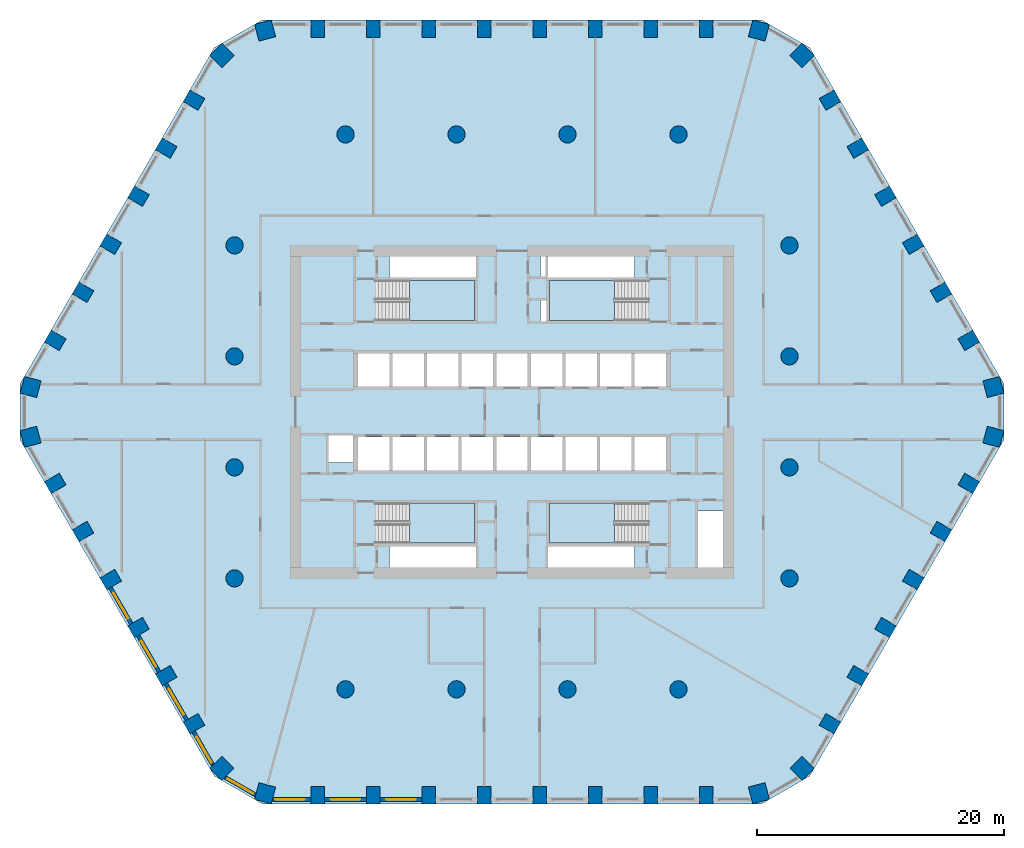
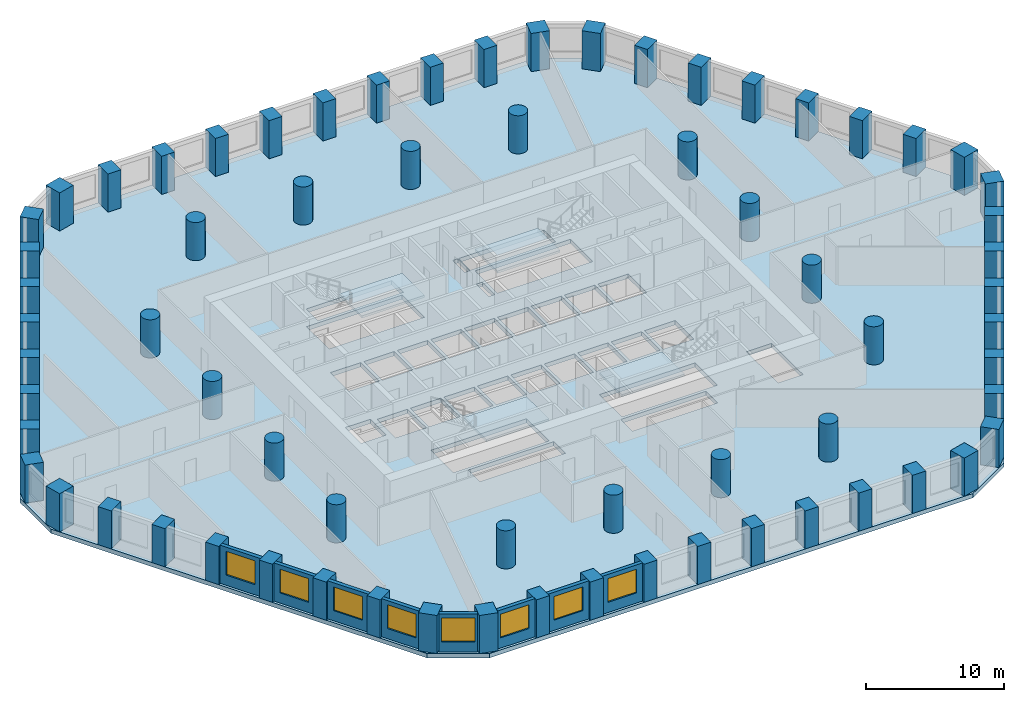
# One storey, part 1 of 10: 68 columns, 8 walls, 8 windows, 5 slabs, 8 openings, 4 elements without a shape of their own.
"""IFC4 building model written with IfcOpenShell, lengths in metres."""

from ifc_helpers import new_model, si_unit, direction, frame, frame_2d, origin, origin_2d, place, context, subcontext, project, spatial, polyline, rectangle, circle, outline, extrude, material, layer, layer_set, material_profile, profile_set, type_object, element, fill, aggregate, save


model = new_model("IFC4")

# Units and contexts
model_context = context("Model", 3, precision=1e-05, world=origin(), true_north=direction((0.0, 1.0)))
body_context = subcontext(model_context, "Body", "Model", "MODEL_VIEW")
ifc_project = project(units=[si_unit("LENGTHUNIT", "METRE"), si_unit("AREAUNIT", "SQUARE_METRE"), si_unit("VOLUMEUNIT", "CUBIC_METRE"), si_unit("PLANEANGLEUNIT", "RADIAN"), si_unit("MASSUNIT", "GRAM", prefix="KILO")], contexts=[model_context])

# Site, building, storey
site_placement = place(None, origin())
site = spatial("IfcSite", under=ifc_project, at=site_placement, CompositionType="ELEMENT")
building_placement = place(site_placement, origin())
building = spatial("IfcBuilding", under=site, at=building_placement, Name="Dhurran Vertical Campus", CompositionType="ELEMENT")
storey_placement = place(building_placement, frame((0.0, 0.0, 72.89990234375)))
storey = spatial("IfcBuildingStorey", under=building, at=storey_placement, Name="L17", CompositionType="ELEMENT", Elevation=72.89990234375)

# Columns
ifc_material_1 = material(Name="Concrete C70/85", Category="concrete")
ifc_material_profile_1 = material_profile(ifc_material_1, rectangle(XDim=1.10009765625, YDim=1.39990234375, at=origin_2d()), Name="RC 1100x1400")
ifc_profile_set_1 = profile_set([ifc_material_profile_1], Name="Concrete C70/85")
column_type_1 = type_object("IfcColumnType", Name="FR COL RC 1100x1400 C70/85", PredefinedType="COLUMN", material=ifc_profile_set_1)
for number, where, z_axis, x_axis, name in (
    (1, (-15.75, -31.079833984375, 0.0), (0.0, 0.0, 1.0), (1.0, 0.0, 0.0), "Perimeter pier PP1.01"),
    (2, (-11.25, -31.079833984375, 0.0), (0.0, 0.0, 1.0), (1.0, 0.0, 0.0), "Perimeter pier PP1.02"),
    (3, (-6.75, -31.079833984375, 0.0), (0.0, 0.0, 1.0), (1.0, 0.0, 0.0), "Perimeter pier PP1.03"),
    (4, (-2.25, -31.079833984375, 0.0), (0.0, 0.0, 1.0), (1.0, 0.0, 0.0), "Perimeter pier PP1.04"),
    (5, (2.25, -31.079833984375, 0.0), (0.0, 0.0, 1.0), (1.0, 0.0, 0.0), "Perimeter pier PP1.05"),
    (6, (6.75, -31.079833984375, 0.0), (0.0, 0.0, 1.0), (1.0, 0.0, 0.0), "Perimeter pier PP1.06"),
    (7, (11.25, -31.079833984375, 0.0), (0.0, 0.0, 1.0), (1.0, 0.0, 0.0), "Perimeter pier PP1.07"),
    (8, (15.75, -31.079833984375, 0.0), (0.0, 0.0, 1.0), (1.0, 0.0, 0.0), "Perimeter pier PP1.08"),
    (9, (25.791015625, -25.28271484375, 0.0), (0.0, 0.0, 1.0), (0.5, 0.866025403784, 0.0), "Perimeter pier PP1.11"),
    (10, (28.041015625, -21.385498046875, 0.0), (0.0, 0.0, 1.0), (0.5, 0.866025403784, 0.0), "Perimeter pier PP1.12"),
    (11, (30.291015625, -17.488525390625, 0.0), (0.0, 0.0, 1.0), (0.5, 0.866025403784, 0.0), "Perimeter pier PP1.13"),
    (12, (32.541015625, -13.59130859375, 0.0), (0.0, 0.0, 1.0), (0.5, 0.866025403784, 0.0), "Perimeter pier PP1.14"),
    (13, (34.791015625, -9.694091796875, 0.0), (0.0, 0.0, 1.0), (0.5, 0.866025403784, 0.0), "Perimeter pier PP1.15"),
    (14, (37.041015625, -5.797119140625, 0.0), (0.0, 0.0, 1.0), (0.5, 0.866025403784, 0.0), "Perimeter pier PP1.16"),
    (15, (37.041015625, 5.797119140625, 0.0), (0.0, 0.0, 1.0), (-0.5, 0.866025403784, 0.0), "Perimeter pier PP1.19"),
    (16, (34.791015625, 9.694091796875, 0.0), (0.0, 0.0, 1.0), (-0.5, 0.866025403784, 0.0), "Perimeter pier PP1.20"),
    (17, (32.541015625, 13.59130859375, 0.0), (0.0, 0.0, 1.0), (-0.5, 0.866025403784, 0.0), "Perimeter pier PP1.21"),
    (18, (30.291015625, 17.488525390625, 0.0), (0.0, 0.0, 1.0), (-0.5, 0.866025403784, 0.0), "Perimeter pier PP1.22"),
    (19, (28.041015625, 21.385498046875, 0.0), (0.0, 0.0, 1.0), (-0.5, 0.866025403784, 0.0), "Perimeter pier PP1.23"),
    (20, (25.791015625, 25.28271484375, 0.0), (0.0, 0.0, 1.0), (-0.5, 0.866025403784, 0.0), "Perimeter pier PP1.24"),
    (21, (15.75, 31.079833984375, 0.0), (0.0, 0.0, 1.0), (-1.0, 0.0, 0.0), "Perimeter pier PP1.27"),
    (22, (11.25, 31.079833984375, 0.0), (0.0, 0.0, 1.0), (-1.0, 0.0, 0.0), "Perimeter pier PP1.28"),
    (23, (6.75, 31.079833984375, 0.0), (0.0, 0.0, 1.0), (-1.0, 0.0, 0.0), "Perimeter pier PP1.29"),
    (24, (2.25, 31.079833984375, 0.0), (0.0, 0.0, 1.0), (-1.0, 0.0, 0.0), "Perimeter pier PP1.30"),
    (25, (-2.25, 31.079833984375, 0.0), (0.0, 0.0, 1.0), (-1.0, 0.0, 0.0), "Perimeter pier PP1.31"),
    (26, (-6.75, 31.079833984375, 0.0), (0.0, 0.0, 1.0), (-1.0, 0.0, 0.0), "Perimeter pier PP1.32"),
    (27, (-11.25, 31.079833984375, 0.0), (0.0, 0.0, 1.0), (-1.0, 0.0, 0.0), "Perimeter pier PP1.33"),
    (28, (-15.75, 31.079833984375, 0.0), (0.0, 0.0, 1.0), (-1.0, 0.0, 0.0), "Perimeter pier PP1.34"),
    (29, (-25.791015625, 25.28271484375, 0.0), (0.0, 0.0, 1.0), (-0.5, -0.866025403784, 0.0), "Perimeter pier PP1.37"),
    (30, (-28.041015625, 21.385498046875, 0.0), (0.0, 0.0, 1.0), (-0.5, -0.866025403784, 0.0), "Perimeter pier PP1.38"),
    (31, (-30.291015625, 17.488525390625, 0.0), (0.0, 0.0, 1.0), (-0.5, -0.866025403784, 0.0), "Perimeter pier PP1.39"),
    (32, (-32.541015625, 13.59130859375, 0.0), (0.0, 0.0, 1.0), (-0.5, -0.866025403784, 0.0), "Perimeter pier PP1.40"),
    (33, (-34.791015625, 9.694091796875, 0.0), (0.0, 0.0, 1.0), (-0.5, -0.866025403784, 0.0), "Perimeter pier PP1.41"),
    (34, (-37.041015625, 5.797119140625, 0.0), (0.0, 0.0, 1.0), (-0.5, -0.866025403784, 0.0), "Perimeter pier PP1.42"),
    (35, (-37.041015625, -5.797119140625, 0.0), (0.0, 0.0, 1.0), (0.5, -0.866025403784, 0.0), "Perimeter pier PP1.45"),
    (36, (-34.791015625, -9.694091796875, 0.0), (0.0, 0.0, 1.0), (0.5, -0.866025403784, 0.0), "Perimeter pier PP1.46"),
    (37, (-32.541015625, -13.59130859375, 0.0), (0.0, 0.0, 1.0), (0.5, -0.866025403784, 0.0), "Perimeter pier PP1.47"),
    (38, (-30.291015625, -17.488525390625, 0.0), (0.0, 0.0, 1.0), (0.5, -0.866025403784, 0.0), "Perimeter pier PP1.48"),
    (39, (-28.041015625, -21.385498046875, 0.0), (0.0, 0.0, 1.0), (0.5, -0.866025403784, 0.0), "Perimeter pier PP1.49"),
    (40, (-25.791015625, -25.28271484375, 0.0), (0.0, 0.0, 1.0), (0.5, -0.866025403784, 0.0), "Perimeter pier PP1.50"),
):
    element("IfcColumn", number, at=place(storey_placement, frame(where, z_axis=z_axis, x_axis=x_axis)), inside=storey, type_object=column_type_1, Name=name, PredefinedType="COLUMN", context=body_context, shape_type="SweptSolid", body=[
        extrude(rectangle(XDim=1.10009765625, YDim=1.39990234375, at=origin_2d()), origin(), (0.0, 0.0, 1.0), 3.375),
    ])
ifc_material_2 = material(Name="Concrete C70/85", Category="concrete")
ifc_material_profile_2 = material_profile(ifc_material_2, rectangle(XDim=1.39990234375, YDim=1.39990234375, at=origin_2d()), Name="RC 1400x1400")
ifc_profile_set_2 = profile_set([ifc_material_profile_2], Name="Concrete C70/85")
column_type_2 = type_object("IfcColumnType", Name="FR COL RC 1400x1400 C70/85", PredefinedType="COLUMN", material=ifc_profile_set_2)
for number, where, z_axis, x_axis, name in (
    (41, (-20.020263671875, -30.922607421875, 0.0), (0.0, 0.0, 1.0), (0.965925826289, -0.258819045103, 0.0), "Perimeter pier PP1.00"),
    (42, (20.020263671875, -30.922607421875, 0.0), (0.0, 0.0, 1.0), (0.965925826289, 0.258819045103, 0.0), "Perimeter pier PP1.09"),
    (43, (23.51953125, -28.902099609375, 0.0), (0.0, 0.0, 1.0), (0.707106781187, 0.707106781187, 0.0), "Perimeter pier PP1.10"),
    (44, (39.039794921875, -2.020263671875, 0.0), (0.0, 0.0, 1.0), (0.258819045103, 0.965925826289, 0.0), "Perimeter pier PP1.17"),
    (45, (39.039794921875, 2.020263671875, 0.0), (0.0, 0.0, 1.0), (-0.258819045103, 0.965925826289, 0.0), "Perimeter pier PP1.18"),
    (46, (23.51953125, 28.902099609375, 0.0), (0.0, 0.0, 1.0), (-0.707106781187, 0.707106781187, 0.0), "Perimeter pier PP1.25"),
    (47, (20.020263671875, 30.922607421875, 0.0), (0.0, 0.0, 1.0), (-0.965925826289, 0.258819045103, 0.0), "Perimeter pier PP1.26"),
    (48, (-20.020263671875, 30.922607421875, 0.0), (0.0, 0.0, 1.0), (-0.965925826289, -0.258819045103, 0.0), "Perimeter pier PP1.35"),
    (49, (-23.51953125, 28.902099609375, 0.0), (0.0, 0.0, 1.0), (-0.707106781187, -0.707106781187, 0.0), "Perimeter pier PP1.36"),
    (50, (-39.039794921875, 2.020263671875, 0.0), (0.0, 0.0, 1.0), (-0.258819045103, -0.965925826289, 0.0), "Perimeter pier PP1.43"),
    (51, (-39.039794921875, -2.020263671875, 0.0), (0.0, 0.0, 1.0), (0.258819045103, -0.965925826289, 0.0), "Perimeter pier PP1.44"),
    (52, (-23.51953125, -28.902099609375, 0.0), (0.0, 0.0, 1.0), (0.707106781187, -0.707106781187, 0.0), "Perimeter pier PP1.51"),
):
    element("IfcColumn", number, at=place(storey_placement, frame(where, z_axis=z_axis, x_axis=x_axis)), inside=storey, type_object=column_type_2, Name=name, PredefinedType="COLUMN", context=body_context, shape_type="SweptSolid", body=[
        extrude(rectangle(XDim=1.39990234375, YDim=1.39990234375, at=origin_2d()), origin(), (0.0, 0.0, 1.0), 3.375),
    ])
ifc_material_3 = material(Name="Concrete C70/85", Category="concrete")
ifc_material_profile_3 = material_profile(ifc_material_3, circle(Radius=0.699951171875, at=origin_2d()), Name="RCC D1400")
ifc_profile_set_3 = profile_set([ifc_material_profile_3], Name="Concrete C70/85")
column_type_3 = type_object("IfcColumnType", Name="FR COL RCC D1400 C70/85", PredefinedType="COLUMN", material=ifc_profile_set_3)
for number, where, z_axis, x_axis, name in (
    (53, (-22.5, -13.5, 0.0), (0.0, 0.0, 1.0), (1.0, 0.0, 0.0), "Inner column IC1-D4"),
    (54, (-22.5, -4.5, 0.0), (0.0, 0.0, 1.0), (1.0, 0.0, 0.0), "Inner column IC1-D5"),
    (55, (-22.5, 4.5, 0.0), (0.0, 0.0, 1.0), (1.0, 0.0, 0.0), "Inner column IC1-D6"),
    (56, (-22.5, 13.5, 0.0), (0.0, 0.0, 1.0), (1.0, 0.0, 0.0), "Inner column IC1-D7"),
    (57, (-13.5, -22.5, 0.0), (0.0, 0.0, 1.0), (1.0, 0.0, 0.0), "Inner column IC1-E3"),
    (58, (-13.5, 22.5, 0.0), (0.0, 0.0, 1.0), (1.0, 0.0, 0.0), "Inner column IC1-E8"),
    (59, (-4.5, -22.5, 0.0), (0.0, 0.0, 1.0), (1.0, 0.0, 0.0), "Inner column IC1-F3"),
    (60, (-4.5, 22.5, 0.0), (0.0, 0.0, 1.0), (1.0, 0.0, 0.0), "Inner column IC1-F8"),
    (61, (4.5, -22.5, 0.0), (0.0, 0.0, 1.0), (1.0, 0.0, 0.0), "Inner column IC1-G3"),
    (62, (4.5, 22.5, 0.0), (0.0, 0.0, 1.0), (1.0, 0.0, 0.0), "Inner column IC1-G8"),
    (63, (13.5, -22.5, 0.0), (0.0, 0.0, 1.0), (1.0, 0.0, 0.0), "Inner column IC1-H3"),
    (64, (13.5, 22.5, 0.0), (0.0, 0.0, 1.0), (1.0, 0.0, 0.0), "Inner column IC1-H8"),
    (65, (22.5, -13.5, 0.0), (0.0, 0.0, 1.0), (1.0, 0.0, 0.0), "Inner column IC1-J4"),
    (66, (22.5, -4.5, 0.0), (0.0, 0.0, 1.0), (1.0, 0.0, 0.0), "Inner column IC1-J5"),
    (67, (22.5, 4.5, 0.0), (0.0, 0.0, 1.0), (1.0, 0.0, 0.0), "Inner column IC1-J6"),
    (68, (22.5, 13.5, 0.0), (0.0, 0.0, 1.0), (1.0, 0.0, 0.0), "Inner column IC1-J7"),
):
    element("IfcColumn", number, at=place(storey_placement, frame(where, z_axis=z_axis, x_axis=x_axis)), inside=storey, type_object=column_type_3, Name=name, PredefinedType="COLUMN", context=body_context, shape_type="SweptSolid", body=[
        extrude(circle(Radius=0.699951171875, at=origin_2d()), origin(), (0.0, 0.0, 1.0), 3.375),
    ])

# Slab
ifc_material_4 = material(Name="Concrete C40/50", Category="concrete")
ifc_layer_1 = layer(ifc_material_4, 0.375)
ifc_layer_set_1 = layer_set([ifc_layer_1], Name="Concrete C40/50")
slab_type_1 = type_object("IfcSlabType", Name="FR POST-TENSIONED FLAT SLAB 375", PredefinedType="FLOOR", material=ifc_layer_set_1)
slab_1_placement = place(storey_placement, frame((0.0, 0.0, -0.375)))
element("IfcSlab", 69, at=slab_1_placement, inside=storey, type_object=slab_type_1, Name="Floor slab L17", PredefinedType="FLOOR", context=body_context, shape_type="SweptSolid", body=[
    extrude(outline(polyline([(-20.25, -31.77978515625), (20.25, -31.77978515625), (24.147216796875, -29.52978515625), (39.897216796875, -2.25), (39.897216796875, 2.25), (24.147216796875, 29.52978515625), (20.25, 31.77978515625), (-20.25, 31.77978515625), (-24.147216796875, 29.52978515625), (-39.897216796875, 2.25), (-39.897216796875, -2.25), (-24.147216796875, -29.52978515625), (-20.25, -31.77978515625)]), holes=[polyline([(-12.47509765625, 2.050048828125), (-9.925048828125, 2.050048828125), (-9.925048828125, 4.75), (-12.47509765625, 4.75), (-12.47509765625, 2.050048828125)]), polyline([(-9.675048828125, 2.050048828125), (-7.125, 2.050048828125), (-7.125, 4.75), (-9.675048828125, 4.75), (-9.675048828125, 2.050048828125)]), polyline([(-6.875, 2.050048828125), (-4.324951171875, 2.050048828125), (-4.324951171875, 4.75), (-6.875, 4.75), (-6.875, 2.050048828125)]), polyline([(-1.27490234375, 2.050048828125), (1.27490234375, 2.050048828125), (1.27490234375, 4.75), (-1.27490234375, 4.75), (-1.27490234375, 2.050048828125)]), polyline([(9.925048828125, 2.050048828125), (12.47509765625, 2.050048828125), (12.47509765625, 4.75), (9.925048828125, 4.75), (9.925048828125, 2.050048828125)]), polyline([(-1.27490234375, -4.75), (1.27490234375, -4.75), (1.27490234375, -2.050048828125), (-1.27490234375, -2.050048828125), (-1.27490234375, -4.75)]), polyline([(1.52490234375, -4.75), (4.074951171875, -4.75), (4.074951171875, -2.050048828125), (1.52490234375, -2.050048828125), (1.52490234375, -4.75)]), polyline([(4.324951171875, -4.75), (6.875, -4.75), (6.875, -2.050048828125), (4.324951171875, -2.050048828125), (4.324951171875, -4.75)]), polyline([(7.125, -4.75), (9.675048828125, -4.75), (9.675048828125, -2.050048828125), (7.125, -2.050048828125), (7.125, -4.75)]), polyline([(9.925048828125, -4.75), (12.47509765625, -4.75), (12.47509765625, -2.050048828125), (9.925048828125, -2.050048828125), (9.925048828125, -4.75)]), polyline([(-4.074951171875, 2.050048828125), (-1.52490234375, 2.050048828125), (-1.52490234375, 4.75), (-4.074951171875, 4.75), (-4.074951171875, 2.050048828125)]), polyline([(1.52490234375, 2.050048828125), (4.074951171875, 2.050048828125), (4.074951171875, 4.75), (1.52490234375, 4.75), (1.52490234375, 2.050048828125)]), polyline([(4.324951171875, 2.050048828125), (6.875, 2.050048828125), (6.875, 4.75), (4.324951171875, 4.75), (4.324951171875, 2.050048828125)]), polyline([(7.125, 2.050048828125), (9.675048828125, 2.050048828125), (9.675048828125, 4.75), (7.125, 4.75), (7.125, 2.050048828125)]), polyline([(-12.47509765625, -4.75), (-9.925048828125, -4.75), (-9.925048828125, -2.050048828125), (-12.47509765625, -2.050048828125), (-12.47509765625, -4.75)]), polyline([(-9.675048828125, -4.75), (-7.125, -4.75), (-7.125, -2.050048828125), (-9.675048828125, -2.050048828125), (-9.675048828125, -4.75)]), polyline([(-6.875, -4.75), (-4.324951171875, -4.75), (-4.324951171875, -2.050048828125), (-6.875, -2.050048828125), (-6.875, -4.75)]), polyline([(-4.074951171875, -4.75), (-1.52490234375, -4.75), (-1.52490234375, -2.050048828125), (-4.074951171875, -2.050048828125), (-4.074951171875, -4.75)]), polyline([(-11.050048828125, 7.39990234375), (-3.050048828125, 7.39990234375), (-3.050048828125, 10.64990234375), (-11.050048828125, 10.64990234375), (-11.050048828125, 7.39990234375)]), polyline([(3.050048828125, 7.39990234375), (11.050048828125, 7.39990234375), (11.050048828125, 10.64990234375), (3.050048828125, 10.64990234375), (3.050048828125, 7.39990234375)]), polyline([(-11.050048828125, -10.64990234375), (-3.050048828125, -10.64990234375), (-3.050048828125, -7.39990234375), (-11.050048828125, -7.39990234375), (-11.050048828125, -10.64990234375)]), polyline([(3.050048828125, -10.64990234375), (11.050048828125, -10.64990234375), (11.050048828125, -7.39990234375), (3.050048828125, -7.39990234375), (3.050048828125, -10.64990234375)]), polyline([(-9.949951171875, 10.89990234375), (-9.949951171875, 12.60009765625), (-2.800048828125, 12.60009765625), (-2.800048828125, 10.89990234375), (-9.949951171875, 10.89990234375)]), polyline([(9.949951171875, 12.60009765625), (9.949951171875, 10.89990234375), (2.800048828125, 10.89990234375), (2.800048828125, 12.60009765625), (9.949951171875, 12.60009765625)]), polyline([(-9.949951171875, -12.60009765625), (-9.949951171875, -10.89990234375), (-2.800048828125, -10.89990234375), (-2.800048828125, -12.60009765625), (-9.949951171875, -12.60009765625)]), polyline([(9.949951171875, -10.89990234375), (9.949951171875, -12.60009765625), (2.800048828125, -12.60009765625), (2.800048828125, -10.89990234375), (9.949951171875, -10.89990234375)]), polyline([(-12.89990234375, -4.10009765625), (-15.0, -4.10009765625), (-15.0, -1.800048828125), (-12.89990234375, -1.800048828125), (-12.89990234375, -4.10009765625)]), polyline([(2.300048828125, 10.867431640625), (2.300048828125, 12.60009765625), (2.75, 12.60009765625), (2.75, 10.867431640625), (2.300048828125, 10.867431640625)]), polyline([(15.0, -8.050048828125), (17.10009765625, -8.050048828125), (17.10009765625, -12.60009765625), (15.0, -12.60009765625), (15.0, -8.050048828125)]), polyline([(2.300048828125, 7.35009765625), (2.300048828125, 9.135009765625), (2.800048828125, 9.135009765625), (2.800048828125, 7.35009765625), (2.300048828125, 7.35009765625)])]), origin(), (0.0, 0.0, 1.0), 0.375),
])

# Stair, slab
ifc_material_5 = material(Name="Concrete C40/50", Category="concrete")
stair_type = type_object("IfcStairType", Name="co-ST-CORE", PredefinedType="HALF_TURN_STAIR", material=ifc_material_5)
stair_1_placement = place(storey_placement, origin())
stair_1 = element("IfcStair", 70, at=stair_1_placement, inside=storey, type_object=stair_type, Name="L17 Protected exit stair ST1", PredefinedType="HALF_TURN_STAIR")
ifc_material_6 = material(Name="Concrete C40/50", Category="concrete")
ifc_layer_2 = layer(ifc_material_6, 0.199951171875)
ifc_layer_set_2 = layer_set([ifc_layer_2], Name="Concrete C40/50")
slab_type_2 = type_object("IfcSlabType", Name="co-SL-LANDING", PredefinedType="LANDING", material=ifc_layer_set_2)
slab_2_placement = place(storey_placement, frame((0.0, 0.0, 1.75)))
slab_2 = element("IfcSlab", 71, at=slab_2_placement, type_object=slab_type_2, Name="ST1 landing 1", PredefinedType="LANDING", context=body_context, shape_type="SweptSolid", body=[
    extrude(outline(polyline([(-8.300048828125, 7.39990234375), (-3.050048828125, 7.39990234375), (-3.050048828125, 10.64990234375), (-8.300048828125, 10.64990234375), (-8.300048828125, 7.39990234375)])), origin(), (0.0, 0.0, 1.0), 0.2001953125),
])
aggregate(stair_1, [slab_2])

stair_2_placement = place(storey_placement, origin())
stair_2 = element("IfcStair", 72, at=stair_2_placement, inside=storey, type_object=stair_type, Name="L17 Protected exit stair ST2", PredefinedType="HALF_TURN_STAIR")
slab_3_placement = place(storey_placement, frame((0.0, 0.0, 1.75)))
slab_3 = element("IfcSlab", 73, at=slab_3_placement, type_object=slab_type_2, Name="ST2 landing 1", PredefinedType="LANDING", context=body_context, shape_type="SweptSolid", body=[
    extrude(outline(polyline([(8.300048828125, 10.64990234375), (3.050048828125, 10.64990234375), (3.050048828125, 7.39990234375), (8.300048828125, 7.39990234375), (8.300048828125, 10.64990234375)])), origin(), (0.0, 0.0, 1.0), 0.2001953125),
])
aggregate(stair_2, [slab_3])

stair_3_placement = place(storey_placement, origin())
stair_3 = element("IfcStair", 74, at=stair_3_placement, inside=storey, type_object=stair_type, Name="L17 Protected exit stair ST3", PredefinedType="HALF_TURN_STAIR")
slab_4_placement = place(storey_placement, frame((0.0, 0.0, 1.75)))
slab_4 = element("IfcSlab", 75, at=slab_4_placement, type_object=slab_type_2, Name="ST3 landing 1", PredefinedType="LANDING", context=body_context, shape_type="SweptSolid", body=[
    extrude(outline(polyline([(-8.300048828125, -10.64990234375), (-3.050048828125, -10.64990234375), (-3.050048828125, -7.39990234375), (-8.300048828125, -7.39990234375), (-8.300048828125, -10.64990234375)])), origin(), (0.0, 0.0, 1.0), 0.2001953125),
])
aggregate(stair_3, [slab_4])

stair_4_placement = place(storey_placement, origin())
stair_4 = element("IfcStair", 76, at=stair_4_placement, inside=storey, type_object=stair_type, Name="L17 Protected exit stair ST4", PredefinedType="HALF_TURN_STAIR")
slab_5_placement = place(storey_placement, frame((0.0, 0.0, 1.75)))
slab_5 = element("IfcSlab", 77, at=slab_5_placement, type_object=slab_type_2, Name="ST4 landing 1", PredefinedType="LANDING", context=body_context, shape_type="SweptSolid", body=[
    extrude(outline(polyline([(8.300048828125, -7.39990234375), (3.050048828125, -7.39990234375), (3.050048828125, -10.64990234375), (8.300048828125, -10.64990234375), (8.300048828125, -7.39990234375)])), origin(), (0.0, 0.0, 1.0), 0.2001953125),
])
aggregate(stair_4, [slab_5])

# Wall, opening, window
ifc_material_7 = material(Name="Precast concrete C50/60", Category="concrete")
ifc_layer_3 = layer(ifc_material_7, 0.300048828125)
ifc_layer_set_3 = layer_set([ifc_layer_3], Name="Precast concrete C50/60")
wall_type = type_object("IfcWallType", Name="Precast spandrel wall 300", PredefinedType="SOLIDWALL", material=ifc_layer_set_3)
wall_1_placement = place(storey_placement, frame((-19.39111328125, -31.4296875, 0.0), z_axis=(0.0, 0.0, 1.0), x_axis=(1.0, 0.0, 0.0)))
wall_1 = element("IfcWall", 78, at=wall_1_placement, inside=storey, type_object=wall_type, Name="EW1 L17.00", PredefinedType="SOLIDWALL", context=body_context, shape_type="SweptSolid", body=[
    extrude(rectangle(XDim=3.090576171875, YDim=0.300048828125, at=frame_2d((1.54541015625, 0.0))), origin(), (0.0, 0.0, 1.0), 3.375),
])
opening_1_placement = place(wall_1_placement, frame((0.191162109375, 0.0, 0.89990234375)))
opening_1 = element("IfcOpeningElement", 79, at=opening_1_placement, cuts=wall_1, Name="Opening WT1", PredefinedType="OPENING", context=body_context, shape_type="SweptSolid", body=[
    extrude(rectangle(XDim=2.39990234375, YDim=2.10009765625, at=frame_2d((1.199951171875, 1.050048828125))), frame((0.0, 0.159912109375, 0.0), z_axis=(0.0, -1.0, 0.0), x_axis=(1.0, 0.0, 0.0)), (0.0, 0.0, 1.0), 0.320068359375),
])
ifc_material_8 = material(Name="Aluminium frame with solar-control glass", Category="aluminium")
window_type = type_object("IfcWindowType", Name="Punched window 2400 x 2100", PartitioningType="SINGLE_PANEL", PredefinedType="WINDOW", material=ifc_material_8)
window_1_placement = place(opening_1_placement, origin())
window_1 = element("IfcWindow", 80, at=window_1_placement, inside=storey, type_object=window_type, Name="WT1 L17.00", OverallHeight=2.10009765625, OverallWidth=2.39990234375, PartitioningType="SINGLE_PANEL", PredefinedType="WINDOW", context=body_context, shape_type="SweptSolid", body=[
    extrude(rectangle(XDim=2.39990234375, YDim=2.10009765625, at=frame_2d((1.199951171875, 1.050048828125))), frame((0.0, 0.030029296875, 0.0), z_axis=(0.0, -1.0, 0.0), x_axis=(1.0, 0.0, 0.0)), (0.0, 0.0, 1.0), 0.06005859375),
])
fill(opening_1, window_1)

wall_2_placement = place(storey_placement, frame((-15.199462890625, -31.4296875, 0.0), z_axis=(0.0, 0.0, 1.0), x_axis=(1.0, 0.0, 0.0)))
wall_2 = element("IfcWall", 81, at=wall_2_placement, inside=storey, type_object=wall_type, Name="EW1 L17.01", PredefinedType="SOLIDWALL", context=body_context, shape_type="SweptSolid", body=[
    extrude(rectangle(XDim=3.39892578125, YDim=0.300048828125, at=frame_2d((1.699462890625, 0.0))), origin(), (0.0, 0.0, 1.0), 3.375),
])
opening_2_placement = place(wall_2_placement, frame((0.49951171875, 0.0, 0.89990234375)))
opening_2 = element("IfcOpeningElement", 82, at=opening_2_placement, cuts=wall_2, Name="Opening WT1", PredefinedType="OPENING", context=body_context, shape_type="SweptSolid", body=[
    extrude(rectangle(XDim=2.39990234375, YDim=2.10009765625, at=frame_2d((1.199951171875, 1.050048828125))), frame((0.0, 0.159912109375, 0.0), z_axis=(0.0, -1.0, 0.0), x_axis=(1.0, 0.0, 0.0)), (0.0, 0.0, 1.0), 0.320068359375),
])
window_2_placement = place(opening_2_placement, origin())
window_2 = element("IfcWindow", 83, at=window_2_placement, inside=storey, type_object=window_type, Name="WT1 L17.01", OverallHeight=2.10009765625, OverallWidth=2.39990234375, PartitioningType="SINGLE_PANEL", PredefinedType="WINDOW", context=body_context, shape_type="SweptSolid", body=[
    extrude(rectangle(XDim=2.39990234375, YDim=2.10009765625, at=frame_2d((1.199951171875, 1.050048828125))), frame((0.0, 0.030029296875, 0.0), z_axis=(0.0, -1.0, 0.0), x_axis=(1.0, 0.0, 0.0)), (0.0, 0.0, 1.0), 0.06005859375),
])
fill(opening_2, window_2)

wall_3_placement = place(storey_placement, frame((-10.699462890625, -31.4296875, 0.0), z_axis=(0.0, 0.0, 1.0), x_axis=(1.0, 0.0, 0.0)))
wall_3 = element("IfcWall", 84, at=wall_3_placement, inside=storey, type_object=wall_type, Name="EW1 L17.02", PredefinedType="SOLIDWALL", context=body_context, shape_type="SweptSolid", body=[
    extrude(rectangle(XDim=3.39892578125, YDim=0.300048828125, at=frame_2d((1.699462890625, 0.0))), origin(), (0.0, 0.0, 1.0), 3.375),
])
opening_3_placement = place(wall_3_placement, frame((0.49951171875, 0.0, 0.89990234375)))
opening_3 = element("IfcOpeningElement", 85, at=opening_3_placement, cuts=wall_3, Name="Opening WT1", PredefinedType="OPENING", context=body_context, shape_type="SweptSolid", body=[
    extrude(rectangle(XDim=2.39990234375, YDim=2.10009765625, at=frame_2d((1.199951171875, 1.050048828125))), frame((0.0, 0.159912109375, 0.0), z_axis=(0.0, -1.0, 0.0), x_axis=(1.0, 0.0, 0.0)), (0.0, 0.0, 1.0), 0.320068359375),
])
window_3_placement = place(opening_3_placement, origin())
window_3 = element("IfcWindow", 86, at=window_3_placement, inside=storey, type_object=window_type, Name="WT1 L17.02", OverallHeight=2.10009765625, OverallWidth=2.39990234375, PartitioningType="SINGLE_PANEL", PredefinedType="WINDOW", context=body_context, shape_type="SweptSolid", body=[
    extrude(rectangle(XDim=2.39990234375, YDim=2.10009765625, at=frame_2d((1.199951171875, 1.050048828125))), frame((0.0, 0.030029296875, 0.0), z_axis=(0.0, -1.0, 0.0), x_axis=(1.0, 0.0, 0.0)), (0.0, 0.0, 1.0), 0.06005859375),
])
fill(opening_3, window_3)

wall_4_placement = place(storey_placement, frame((-32.56884765625, -14.2431640625, 0.0), z_axis=(0.0, 0.0, 1.0), x_axis=(0.499993955907, -0.866028893315, 0.0)))
wall_4 = element("IfcWall", 87, at=wall_4_placement, inside=storey, type_object=wall_type, Name="EW1 L17.47", PredefinedType="SOLIDWALL", context=body_context, shape_type="SweptSolid", body=[
    extrude(rectangle(XDim=3.39892578125, YDim=0.300048828125, at=frame_2d((1.699462890625, 0.0))), origin(), (0.0, 0.0, 1.0), 3.375),
])
opening_4_placement = place(wall_4_placement, frame((0.49951171875, 0.0, 0.89990234375)))
opening_4 = element("IfcOpeningElement", 88, at=opening_4_placement, cuts=wall_4, Name="Opening WT1", PredefinedType="OPENING", context=body_context, shape_type="SweptSolid", body=[
    extrude(rectangle(XDim=2.39990234375, YDim=2.10009765625, at=frame_2d((1.199951171875, 1.050048828125))), frame((0.0, 0.159912109375, 0.0), z_axis=(0.0, -1.0, 0.0), x_axis=(1.0, 0.0, 0.0)), (0.0, 0.0, 1.0), 0.320068359375),
])
window_4_placement = place(opening_4_placement, origin())
window_4 = element("IfcWindow", 89, at=window_4_placement, inside=storey, type_object=window_type, Name="WT1 L17.47", OverallHeight=2.10009765625, OverallWidth=2.39990234375, PartitioningType="SINGLE_PANEL", PredefinedType="WINDOW", context=body_context, shape_type="SweptSolid", body=[
    extrude(rectangle(XDim=2.39990234375, YDim=2.10009765625, at=frame_2d((1.199951171875, 1.050048828125))), frame((0.0, 0.030029296875, 0.0), z_axis=(0.0, -1.0, 0.0), x_axis=(1.0, 0.0, 0.0)), (0.0, 0.0, 1.0), 0.06005859375),
])
fill(opening_4, window_4)

wall_5_placement = place(storey_placement, frame((-30.31884765625, -18.14013671875, 0.0), z_axis=(0.0, 0.0, 1.0), x_axis=(0.499993955907, -0.866028893315, 0.0)))
wall_5 = element("IfcWall", 90, at=wall_5_placement, inside=storey, type_object=wall_type, Name="EW1 L17.48", PredefinedType="SOLIDWALL", context=body_context, shape_type="SweptSolid", body=[
    extrude(rectangle(XDim=3.39892578125, YDim=0.300048828125, at=frame_2d((1.699462890625, 0.0))), origin(), (0.0, 0.0, 1.0), 3.375),
])
opening_5_placement = place(wall_5_placement, frame((0.49951171875, 0.0, 0.89990234375)))
opening_5 = element("IfcOpeningElement", 91, at=opening_5_placement, cuts=wall_5, Name="Opening WT1", PredefinedType="OPENING", context=body_context, shape_type="SweptSolid", body=[
    extrude(rectangle(XDim=2.39990234375, YDim=2.10009765625, at=frame_2d((1.199951171875, 1.050048828125))), frame((0.0, 0.159912109375, 0.0), z_axis=(0.0, -1.0, 0.0), x_axis=(1.0, 0.0, 0.0)), (0.0, 0.0, 1.0), 0.320068359375),
])
window_5_placement = place(opening_5_placement, origin())
window_5 = element("IfcWindow", 92, at=window_5_placement, inside=storey, type_object=window_type, Name="WT1 L17.48", OverallHeight=2.10009765625, OverallWidth=2.39990234375, PartitioningType="SINGLE_PANEL", PredefinedType="WINDOW", context=body_context, shape_type="SweptSolid", body=[
    extrude(rectangle(XDim=2.39990234375, YDim=2.10009765625, at=frame_2d((1.199951171875, 1.050048828125))), frame((0.0, 0.030029296875, 0.0), z_axis=(0.0, -1.0, 0.0), x_axis=(1.0, 0.0, 0.0)), (0.0, 0.0, 1.0), 0.06005859375),
])
fill(opening_5, window_5)

wall_6_placement = place(storey_placement, frame((-28.06884765625, -22.037353515625, 0.0), z_axis=(0.0, 0.0, 1.0), x_axis=(0.499993955907, -0.866028893315, 0.0)))
wall_6 = element("IfcWall", 93, at=wall_6_placement, inside=storey, type_object=wall_type, Name="EW1 L17.49", PredefinedType="SOLIDWALL", context=body_context, shape_type="SweptSolid", body=[
    extrude(rectangle(XDim=3.39892578125, YDim=0.300048828125, at=frame_2d((1.699462890625, 0.0))), origin(), (0.0, 0.0, 1.0), 3.375),
])
opening_6_placement = place(wall_6_placement, frame((0.49951171875, 0.0, 0.89990234375)))
opening_6 = element("IfcOpeningElement", 94, at=opening_6_placement, cuts=wall_6, Name="Opening WT1", PredefinedType="OPENING", context=body_context, shape_type="SweptSolid", body=[
    extrude(rectangle(XDim=2.39990234375, YDim=2.10009765625, at=frame_2d((1.199951171875, 1.050048828125))), frame((0.0, 0.159912109375, 0.0), z_axis=(0.0, -1.0, 0.0), x_axis=(1.0, 0.0, 0.0)), (0.0, 0.0, 1.0), 0.320068359375),
])
window_6_placement = place(opening_6_placement, origin())
window_6 = element("IfcWindow", 95, at=window_6_placement, inside=storey, type_object=window_type, Name="WT1 L17.49", OverallHeight=2.10009765625, OverallWidth=2.39990234375, PartitioningType="SINGLE_PANEL", PredefinedType="WINDOW", context=body_context, shape_type="SweptSolid", body=[
    extrude(rectangle(XDim=2.39990234375, YDim=2.10009765625, at=frame_2d((1.199951171875, 1.050048828125))), frame((0.0, 0.030029296875, 0.0), z_axis=(0.0, -1.0, 0.0), x_axis=(1.0, 0.0, 0.0)), (0.0, 0.0, 1.0), 0.06005859375),
])
fill(opening_6, window_6)

wall_7_placement = place(storey_placement, frame((-25.81884765625, -25.934326171875, 0.0), z_axis=(0.0, 0.0, 1.0), x_axis=(0.499995950774, -0.866027741594, 0.0)))
wall_7 = element("IfcWall", 96, at=wall_7_placement, inside=storey, type_object=wall_type, Name="EW1 L17.50", PredefinedType="SOLIDWALL", context=body_context, shape_type="SweptSolid", body=[
    extrude(rectangle(XDim=3.0908203125, YDim=0.300048828125, at=frame_2d((1.54541015625, 0.0))), origin(), (0.0, 0.0, 1.0), 3.375),
])
opening_7_placement = place(wall_7_placement, frame((0.49951171875, 0.0, 0.89990234375)))
opening_7 = element("IfcOpeningElement", 97, at=opening_7_placement, cuts=wall_7, Name="Opening WT1", PredefinedType="OPENING", context=body_context, shape_type="SweptSolid", body=[
    extrude(rectangle(XDim=2.39990234375, YDim=2.10009765625, at=frame_2d((1.199951171875, 1.050048828125))), frame((0.0, 0.159912109375, 0.0), z_axis=(0.0, -1.0, 0.0), x_axis=(1.0, 0.0, 0.0)), (0.0, 0.0, 1.0), 0.320068359375),
])
window_7_placement = place(opening_7_placement, origin())
window_7 = element("IfcWindow", 98, at=window_7_placement, inside=storey, type_object=window_type, Name="WT1 L17.50", OverallHeight=2.10009765625, OverallWidth=2.39990234375, PartitioningType="SINGLE_PANEL", PredefinedType="WINDOW", context=body_context, shape_type="SweptSolid", body=[
    extrude(rectangle(XDim=2.39990234375, YDim=2.10009765625, at=frame_2d((1.199951171875, 1.050048828125))), frame((0.0, 0.030029296875, 0.0), z_axis=(0.0, -1.0, 0.0), x_axis=(1.0, 0.0, 0.0)), (0.0, 0.0, 1.0), 0.06005859375),
])
fill(opening_7, window_7)

wall_8_placement = place(storey_placement, frame((-23.228271484375, -29.656005859375, 0.0), z_axis=(0.0, 0.0, 1.0), x_axis=(0.866020456713, -0.500008568482, 0.0)))
wall_8 = element("IfcWall", 99, at=wall_8_placement, inside=storey, type_object=wall_type, Name="EW1 L17.51", PredefinedType="SOLIDWALL", context=body_context, shape_type="SweptSolid", body=[
    extrude(rectangle(XDim=2.7822265625, YDim=0.300048828125, at=frame_2d((1.39111328125, 0.0))), origin(), (0.0, 0.0, 1.0), 3.375),
])
opening_8_placement = place(wall_8_placement, frame((0.191162109375, 0.0, 0.89990234375)))
opening_8 = element("IfcOpeningElement", 100, at=opening_8_placement, cuts=wall_8, Name="Opening WT1", PredefinedType="OPENING", context=body_context, shape_type="SweptSolid", body=[
    extrude(rectangle(XDim=2.39990234375, YDim=2.10009765625, at=frame_2d((1.199951171875, 1.050048828125))), frame((0.0, 0.159912109375, 0.0), z_axis=(0.0, -1.0, 0.0), x_axis=(1.0, 0.0, 0.0)), (0.0, 0.0, 1.0), 0.320068359375),
])
window_8_placement = place(opening_8_placement, origin())
window_8 = element("IfcWindow", 101, at=window_8_placement, inside=storey, type_object=window_type, Name="WT1 L17.51", OverallHeight=2.10009765625, OverallWidth=2.39990234375, PartitioningType="SINGLE_PANEL", PredefinedType="WINDOW", context=body_context, shape_type="SweptSolid", body=[
    extrude(rectangle(XDim=2.39990234375, YDim=2.10009765625, at=frame_2d((1.199951171875, 1.050048828125))), frame((0.0, 0.030029296875, 0.0), z_axis=(0.0, -1.0, 0.0), x_axis=(1.0, 0.0, 0.0)), (0.0, 0.0, 1.0), 0.06005859375),
])
fill(opening_8, window_8)

save(model, "model.ifc")
